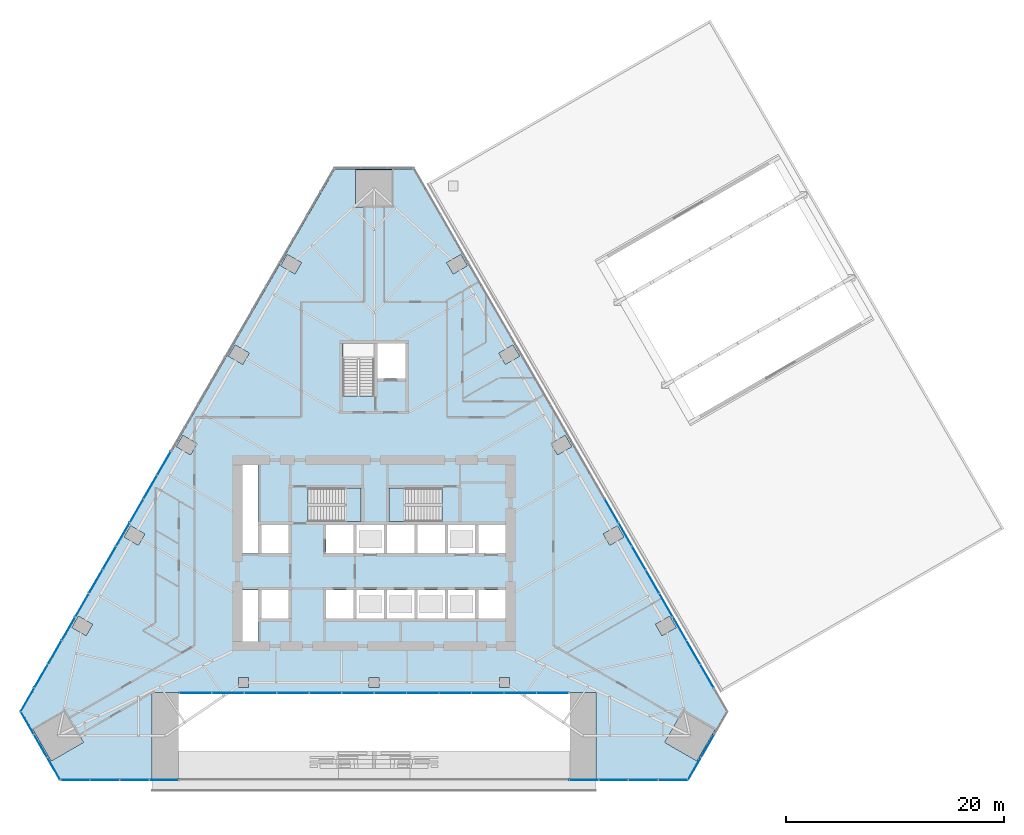
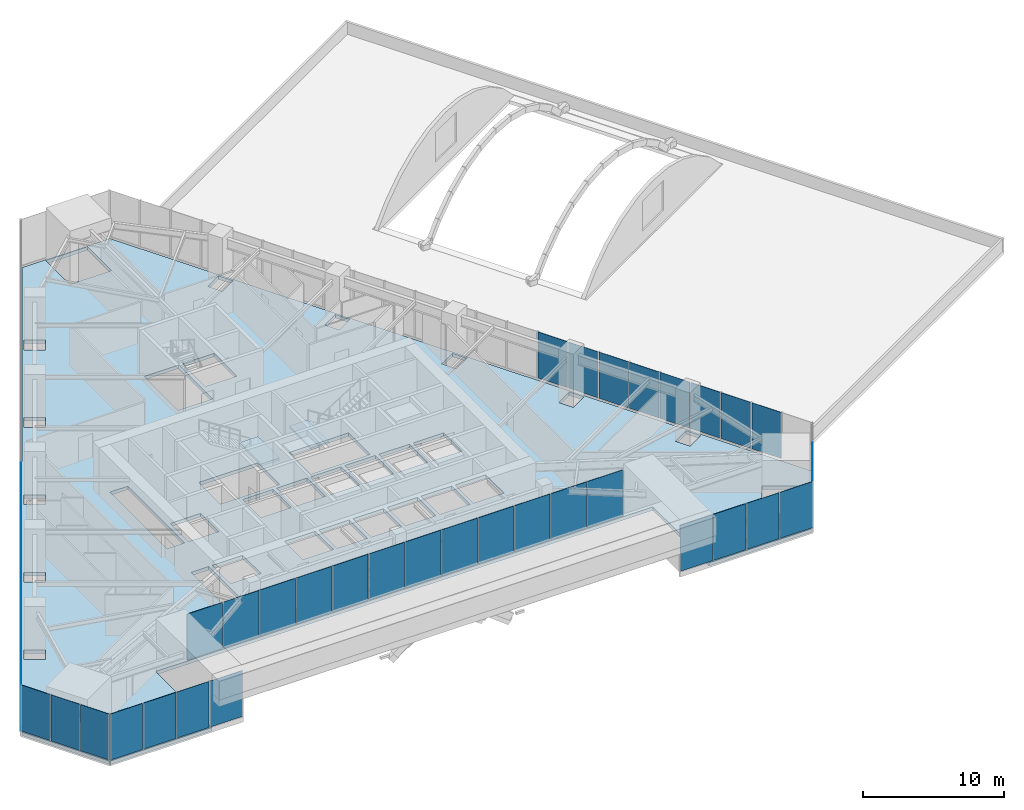
# One storey, part 16 of 23: 44 plates, 3 slabs, 9 elements without a shape of their own.
"""IFC4 building model written with IfcOpenShell, lengths in metres."""

import ifcopenshell
import ifcopenshell.guid

model = None  # the IFC model being written
_history = None  # IfcOwnerHistory: only IFC2X3 demands one
_inside = {}  # id of a spatial element -> (the spatial element, [elements in it])
_under = {}  # id of a project, library or spatial element -> (it, [spatial elements below it])
_declared = {}  # id of a project -> (the project, [libraries it declares])
_typed = {}  # id of a type object -> (the type object, [elements of that type])
_made_of = {}  # id of a material, layer set ... -> (it, [elements and type objects made of it])


def new_model(schema):
    """Start an empty IFC model of exactly this schema.

    Asked for "IFC4X3", IfcOpenShell would pick the latest addendum, in which some entities
    have other attributes; the version numbers below select the first issue.
    IFC2X3 requires an IfcOwnerHistory on every rooted entity: one is made here for all.
    """
    global model, _history
    if schema == "IFC4X3":
        model = ifcopenshell.file(schema_version=(4, 3, 0, 0))
    else:
        model = ifcopenshell.file(schema=schema)
    _inside.clear()
    _under.clear()
    _declared.clear()
    _typed.clear()
    _made_of.clear()
    _history = None
    if model.schema == "IFC2X3":
        org = make("IfcOrganization", Name="unknown")
        user = make(
            "IfcPersonAndOrganization",
            ThePerson=make("IfcPerson", FamilyName="unknown"),
            TheOrganization=org,
        )
        app = make(
            "IfcApplication",
            ApplicationDeveloper=org,
            Version="unknown",
            ApplicationFullName="unknown",
            ApplicationIdentifier="unknown",
        )
        _history = make(
            "IfcOwnerHistory",
            OwningUser=user,
            OwningApplication=app,
            ChangeAction="ADDED",
            CreationDate=0,
        )
    return model


def make(cls, **values):
    """One entity of the class cls with the attributes given. An attribute that is None is left unset."""
    return model.create_entity(
        cls, **{name: value for name, value in values.items() if value is not None}
    )


def rooted(cls, **values):
    """An entity with a GlobalId (a new one), such as an element, a storey or a relation."""
    return make(cls, GlobalId=ifcopenshell.guid.new(), OwnerHistory=_history, **values)


def si_unit(unit_type, name, prefix=None):
    """IfcSIUnit, for example si_unit("LENGTHUNIT", "METRE", prefix="MILLI")."""
    return make("IfcSIUnit", UnitType=unit_type, Prefix=prefix, Name=name)


def assignment(units):
    """IfcUnitAssignment: the units of a project."""
    return None if units is None else make("IfcUnitAssignment", Units=units)


def point(xyz):
    """IfcCartesianPoint."""
    return None if xyz is None else make("IfcCartesianPoint", Coordinates=xyz)


def direction(xyz):
    """IfcDirection."""
    return None if xyz is None else make("IfcDirection", DirectionRatios=xyz)


def frame(location, z_axis=None, x_axis=None):
    """IfcAxis2Placement3D, a coordinate frame: its origin and axes. An axis left out is left unset."""
    return make(
        "IfcAxis2Placement3D",
        Location=point(location),
        Axis=direction(z_axis),
        RefDirection=direction(x_axis),
    )


def origin():
    """The frame at (0, 0, 0) with its axes left unset."""
    return frame((0.0, 0.0, 0.0))


def place(relative_to, where):
    """IfcLocalPlacement: puts the frame where relative to a parent placement (None: the world)."""
    return make(
        "IfcLocalPlacement", PlacementRelTo=relative_to, RelativePlacement=where
    )


def context(
    kind, dimensions, precision=None, world=None, true_north=None, identifier=None
):
    """IfcGeometricRepresentationContext, for example the 3D "Model" context."""
    return make(
        "IfcGeometricRepresentationContext",
        ContextIdentifier=identifier,
        ContextType=kind,
        CoordinateSpaceDimension=dimensions,
        Precision=precision,
        WorldCoordinateSystem=world,
        TrueNorth=true_north,
    )


def subcontext(parent, identifier, kind, view, scale=None):
    """IfcGeometricRepresentationSubContext, for example "Body" below "Model"."""
    return make(
        "IfcGeometricRepresentationSubContext",
        ContextIdentifier=identifier,
        ContextType=kind,
        ParentContext=parent,
        TargetScale=scale,
        TargetView=view,
    )


def project(units=None, contexts=None):
    """IfcProject with its units and contexts."""
    return rooted(
        "IfcProject",
        Name="project",
        RepresentationContexts=contexts,
        UnitsInContext=assignment(units),
    )


def spatial(cls, under=None, at=None, **own):
    """A site, building, storey or space (cls), placed at a placement, below another one or the project."""
    s = rooted(cls, ObjectPlacement=at, **own)
    if under is not None:
        _under.setdefault(under.id(), (under, []))[1].append(s)
    return s


def polyline(points):
    """IfcPolyline through the points."""
    return make("IfcPolyline", Points=[point(p) for p in points])


def outline(outer, holes=None, kind="AREA"):
    """IfcArbitraryClosedProfileDef: a profile drawn as a closed curve; with holes, ...WithVoids."""
    if holes is None:
        return make("IfcArbitraryClosedProfileDef", ProfileType=kind, OuterCurve=outer)
    return make(
        "IfcArbitraryProfileDefWithVoids",
        ProfileType=kind,
        OuterCurve=outer,
        InnerCurves=holes,
    )


def extrude(swept, where, along, depth):
    """IfcExtrudedAreaSolid: the profile swept, set in the frame where, extruded along a direction by depth."""
    return make(
        "IfcExtrudedAreaSolid",
        SweptArea=swept,
        Position=where,
        ExtrudedDirection=direction(along),
        Depth=depth,
    )


def shape(context_of_items, identifier, shape_type, items):
    """IfcShapeRepresentation: the items that make up one representation, for example the "Body"."""
    return make(
        "IfcShapeRepresentation",
        ContextOfItems=context_of_items,
        RepresentationIdentifier=identifier,
        RepresentationType=shape_type,
        Items=items,
    )


def material(Name=None, Category=None):
    """IfcMaterial."""
    return make("IfcMaterial", Name=Name, Category=Category)


def layer(
    of_material, thickness, ventilated=None, Name=None, Category=None, Priority=None
):
    """IfcMaterialLayer: one layer of a wall or slab, of a material (None: an air gap)."""
    return make(
        "IfcMaterialLayer",
        Material=of_material,
        LayerThickness=thickness,
        IsVentilated=ventilated,
        Name=Name,
        Category=Category,
        Priority=Priority,
    )


def layer_set(layers, Name=None):
    """IfcMaterialLayerSet."""
    return make("IfcMaterialLayerSet", MaterialLayers=layers, LayerSetName=Name)


def made_of(thing, what):
    """Note that an element or type object is made of a material, layer set ...; save() writes the relation."""
    if what is not None:
        _made_of.setdefault(what.id(), (what, []))[1].append(thing)
    return thing


def type_object(cls, material=None, **own):
    """A type object (cls), such as IfcWallType, which elements share."""
    return made_of(rooted(cls, **own), material)


def element(
    cls,
    number,
    at=None,
    inside=None,
    cuts=None,
    type_object=None,
    material=None,
    context=None,
    identifier="Body",
    shape_type=None,
    held_by="IfcProductDefinitionShape",
    body=None,
    shapes=None,
    **own,
):
    """One element of the class cls, such as IfcWall. Its Tag is "e" and its number.

    at: its placement. inside: the storey or other place that contains it. cuts: it is an
    opening in that element (IfcRelVoidsElement). A single representation is given by context,
    identifier, shape_type and body (its items); several are given by shapes. held_by: the class
    of the entity that holds the representations. save() writes the other relations.
    """
    e = rooted(cls, Tag="e%d" % number, ObjectPlacement=at, **own)
    if body is not None:
        shapes = [shape(context, identifier, shape_type, body)]
    if shapes is not None:
        e.Representation = make(held_by, Representations=shapes)
    if inside is not None:
        _inside.setdefault(inside.id(), (inside, []))[1].append(e)
    if cuts is not None:
        rooted(
            "IfcRelVoidsElement", RelatingBuildingElement=cuts, RelatedOpeningElement=e
        )
    if type_object is not None:
        _typed.setdefault(type_object.id(), (type_object, []))[1].append(e)
    return made_of(e, material)


def aggregate(whole, parts):
    """IfcRelAggregates: a whole, such as a stair, and the parts it consists of."""
    return rooted("IfcRelAggregates", RelatingObject=whole, RelatedObjects=parts)


def save(model, path):
    """Write the relations noted so far, then the file.

    IfcRelAggregates (storeys below a building ...), IfcRelContainedInSpatialStructure (elements
    in a storey), IfcRelDefinesByType, IfcRelAssociatesMaterial and IfcRelDeclares: one each for
    every whole, place, type object, material and project.
    """
    for whole, parts in _under.values():
        aggregate(whole, parts)
    for where, things in _inside.values():
        rooted(
            "IfcRelContainedInSpatialStructure",
            RelatedElements=things,
            RelatingStructure=where,
        )
    for kind, things in _typed.values():
        rooted("IfcRelDefinesByType", RelatedObjects=things, RelatingType=kind)
    for what, things in _made_of.values():
        rooted("IfcRelAssociatesMaterial", RelatedObjects=things, RelatingMaterial=what)
    for by, libraries in _declared.values():
        rooted("IfcRelDeclares", RelatingContext=by, RelatedDefinitions=libraries)
    model.write(path)


model = new_model("IFC4")

# Units and contexts
model_context = context("Model", 3, precision=1e-05, world=origin(), true_north=direction((0.0, 1.0)))
body_context = subcontext(model_context, "Body", "Model", "MODEL_VIEW")
ifc_project = project(units=[si_unit("LENGTHUNIT", "METRE"), si_unit("AREAUNIT", "SQUARE_METRE"), si_unit("VOLUMEUNIT", "CUBIC_METRE"), si_unit("PLANEANGLEUNIT", "RADIAN"), si_unit("MASSUNIT", "GRAM", prefix="KILO")], contexts=[model_context])

# Site, building, storey
site_placement = place(None, origin())
site = spatial("IfcSite", under=ifc_project, at=site_placement, CompositionType="ELEMENT")
building_placement = place(site_placement, origin())
building = spatial("IfcBuilding", under=site, at=building_placement, Name="Firuza Gate Tower and Library", CompositionType="ELEMENT")
storey_placement = place(building_placement, frame((0.0, 0.0, 26.39990234375)))
storey = spatial("IfcBuildingStorey", under=building, at=storey_placement, Name="L05", CompositionType="ELEMENT", Elevation=26.39990234375)

# Curtain wall, plates
ifc_material_1 = material(Name="Aluminium 6063-T6", Category="aluminium")
ifc_layer_1 = layer(ifc_material_1, 0.14990234375)
ifc_layer_set_1 = layer_set([ifc_layer_1], Name="Stick curtain wall, podium")
curtain_wall_type_1 = type_object("IfcCurtainWallType", Name="Stick curtain wall, podium", PredefinedType="NOTDEFINED", material=ifc_layer_set_1)
placement_1 = place(storey_placement, origin())
curtain_wall_1 = element("IfcCurtainWall", 1, at=placement_1, inside=storey, type_object=curtain_wall_type_1, Name="CW5 L05 S", PredefinedType="NOTDEFINED")
ifc_material_2 = material(Name="Fritted glass", Category="glass")
ifc_layer_2 = layer(ifc_material_2, 0.030029296875)
ifc_layer_set_2 = layer_set([ifc_layer_2], Name="Clear glass unit, podium")
plate_type = type_object("IfcPlateType", Name="Clear glass unit, podium", PredefinedType="CURTAIN_PANEL", material=ifc_layer_set_2)
plate_1_placement = place(storey_placement, frame((46.19677734375, 54.12548828125, 0.150146484375), z_axis=(0.0, -1.0, 0.0), x_axis=(1.0, 0.0, 0.0)))
plate_1 = element("IfcPlate", 2, at=plate_1_placement, type_object=plate_type, Name="Glass unit", PredefinedType="CURTAIN_PANEL", context=body_context, shape_type="SweptSolid", body=[
    extrude(outline(polyline([(0.0, 0.0), (2.6494140625, 0.0), (2.6494140625, 4.0), (0.0, 4.0), (0.0, 0.0)])), origin(), (0.0, 0.0, -1.0), 0.030029296875),
])
plate_2_placement = place(storey_placement, frame((48.92626953125, 54.12548828125, 0.150146484375), z_axis=(0.0, -1.0, 0.0), x_axis=(1.0, 0.0, 0.0)))
plate_2 = element("IfcPlate", 3, at=plate_2_placement, type_object=plate_type, Name="Glass unit", PredefinedType="CURTAIN_PANEL", context=body_context, shape_type="SweptSolid", body=[
    extrude(outline(polyline([(0.0, 0.0), (2.649658203125, 0.0), (2.649658203125, 4.0), (0.0, 4.0), (0.0, 0.0)])), origin(), (0.0, 0.0, -1.0), 0.030029296875),
])
plate_3_placement = place(storey_placement, frame((51.65576171875, 54.12548828125, 0.150146484375), z_axis=(0.0, -1.0, 0.0), x_axis=(1.0, 0.0, 0.0)))
plate_3 = element("IfcPlate", 4, at=plate_3_placement, type_object=plate_type, Name="Glass unit", PredefinedType="CURTAIN_PANEL", context=body_context, shape_type="SweptSolid", body=[
    extrude(outline(polyline([(0.0, 0.0), (2.649658203125, 0.0), (2.649658203125, 4.0), (0.0, 4.0), (0.0, 0.0)])), origin(), (0.0, 0.0, -1.0), 0.030029296875),
])
plate_4_placement = place(storey_placement, frame((54.385498046875, 54.12548828125, 0.150146484375), z_axis=(0.0, -1.0, 0.0), x_axis=(1.0, 0.0, 0.0)))
plate_4 = element("IfcPlate", 5, at=plate_4_placement, type_object=plate_type, Name="Glass unit", PredefinedType="CURTAIN_PANEL", context=body_context, shape_type="SweptSolid", body=[
    extrude(outline(polyline([(0.0, 0.0), (2.6494140625, 0.0), (2.6494140625, 4.0), (0.0, 4.0), (0.0, 0.0)])), origin(), (0.0, 0.0, -1.0), 0.030029296875),
])
aggregate(curtain_wall_1, [plate_1, plate_2, plate_3, plate_4])

ifc_material_3 = material(Name="Aluminium 6063-T6", Category="aluminium")
ifc_layer_3 = layer(ifc_material_3, 0.14990234375)
ifc_layer_set_3 = layer_set([ifc_layer_3], Name="Stick curtain wall, gate lobby")
curtain_wall_type_2 = type_object("IfcCurtainWallType", Name="Stick curtain wall, gate lobby", PredefinedType="NOTDEFINED", material=ifc_layer_set_3)
curtain_wall_2 = element("IfcCurtainWall", 6, at=placement_1, inside=storey, type_object=curtain_wall_type_2, Name="CW7 L05 gate lobby", PredefinedType="NOTDEFINED")
plate_5_placement = place(storey_placement, frame((57.114990234375, 62.12548828125, 0.150146484375), z_axis=(0.0, -1.0, 0.0), x_axis=(1.0, 0.0, 0.0)))
plate_5 = element("IfcPlate", 7, at=plate_5_placement, type_object=plate_type, Name="Glass unit", PredefinedType="CURTAIN_PANEL", context=body_context, shape_type="SweptSolid", body=[
    extrude(outline(polyline([(0.0, 0.0), (2.907470703125, 0.0), (2.907470703125, 4.0), (0.0, 4.0), (0.0, 0.0)])), origin(), (0.0, 0.0, -1.0), 0.030029296875),
])
plate_6_placement = place(storey_placement, frame((60.1025390625, 62.12548828125, 0.150146484375), z_axis=(0.0, -1.0, 0.0), x_axis=(1.0, 0.0, 0.0)))
plate_6 = element("IfcPlate", 8, at=plate_6_placement, type_object=plate_type, Name="Glass unit", PredefinedType="CURTAIN_PANEL", context=body_context, shape_type="SweptSolid", body=[
    extrude(outline(polyline([(0.0, 0.0), (2.907470703125, 0.0), (2.907470703125, 4.0), (0.0, 4.0), (0.0, 0.0)])), origin(), (0.0, 0.0, -1.0), 0.030029296875),
])
plate_7_placement = place(storey_placement, frame((63.090087890625, 62.12548828125, 0.150146484375), z_axis=(0.0, -1.0, 0.0), x_axis=(1.0, 0.0, 0.0)))
plate_7 = element("IfcPlate", 9, at=plate_7_placement, type_object=plate_type, Name="Glass unit", PredefinedType="CURTAIN_PANEL", context=body_context, shape_type="SweptSolid", body=[
    extrude(outline(polyline([(0.0, 0.0), (2.907470703125, 0.0), (2.907470703125, 4.0), (0.0, 4.0), (0.0, 0.0)])), origin(), (0.0, 0.0, -1.0), 0.030029296875),
])
plate_8_placement = place(storey_placement, frame((66.077392578125, 62.12548828125, 0.150146484375), z_axis=(0.0, -1.0, 0.0), x_axis=(1.0, 0.0, 0.0)))
plate_8 = element("IfcPlate", 10, at=plate_8_placement, type_object=plate_type, Name="Glass unit", PredefinedType="CURTAIN_PANEL", context=body_context, shape_type="SweptSolid", body=[
    extrude(outline(polyline([(0.0, 0.0), (2.90771484375, 0.0), (2.90771484375, 4.0), (0.0, 4.0), (0.0, 0.0)])), origin(), (0.0, 0.0, -1.0), 0.030029296875),
])
plate_9_placement = place(storey_placement, frame((69.06494140625, 62.12548828125, 0.150146484375), z_axis=(0.0, -1.0, 0.0), x_axis=(1.0, 0.0, 0.0)))
plate_9 = element("IfcPlate", 11, at=plate_9_placement, type_object=plate_type, Name="Glass unit", PredefinedType="CURTAIN_PANEL", context=body_context, shape_type="SweptSolid", body=[
    extrude(outline(polyline([(0.0, 0.0), (2.907470703125, 0.0), (2.907470703125, 4.0), (0.0, 4.0), (0.0, 0.0)])), origin(), (0.0, 0.0, -1.0), 0.030029296875),
])
plate_10_placement = place(storey_placement, frame((72.052490234375, 62.12548828125, 0.150146484375), z_axis=(0.0, -1.0, 0.0), x_axis=(1.0, 0.0, 0.0)))
plate_10 = element("IfcPlate", 12, at=plate_10_placement, type_object=plate_type, Name="Glass unit", PredefinedType="CURTAIN_PANEL", context=body_context, shape_type="SweptSolid", body=[
    extrude(outline(polyline([(0.0, 0.0), (2.907470703125, 0.0), (2.907470703125, 4.0), (0.0, 4.0), (0.0, 0.0)])), origin(), (0.0, 0.0, -1.0), 0.030029296875),
])
plate_11_placement = place(storey_placement, frame((75.0400390625, 62.12548828125, 0.150146484375), z_axis=(0.0, -1.0, 0.0), x_axis=(1.0, 0.0, 0.0)))
plate_11 = element("IfcPlate", 13, at=plate_11_placement, type_object=plate_type, Name="Glass unit", PredefinedType="CURTAIN_PANEL", context=body_context, shape_type="SweptSolid", body=[
    extrude(outline(polyline([(0.0, 0.0), (2.907470703125, 0.0), (2.907470703125, 4.0), (0.0, 4.0), (0.0, 0.0)])), origin(), (0.0, 0.0, -1.0), 0.030029296875),
])
plate_12_placement = place(storey_placement, frame((78.027587890625, 62.12548828125, 0.150146484375), z_axis=(0.0, -1.0, 0.0), x_axis=(1.0, 0.0, 0.0)))
plate_12 = element("IfcPlate", 14, at=plate_12_placement, type_object=plate_type, Name="Glass unit", PredefinedType="CURTAIN_PANEL", context=body_context, shape_type="SweptSolid", body=[
    extrude(outline(polyline([(0.0, 0.0), (2.907470703125, 0.0), (2.907470703125, 4.0), (0.0, 4.0), (0.0, 0.0)])), origin(), (0.0, 0.0, -1.0), 0.030029296875),
])
plate_13_placement = place(storey_placement, frame((81.014892578125, 62.12548828125, 0.150146484375), z_axis=(0.0, -1.0, 0.0), x_axis=(1.0, 0.0, 0.0)))
plate_13 = element("IfcPlate", 15, at=plate_13_placement, type_object=plate_type, Name="Glass unit", PredefinedType="CURTAIN_PANEL", context=body_context, shape_type="SweptSolid", body=[
    extrude(outline(polyline([(0.0, 0.0), (2.90771484375, 0.0), (2.90771484375, 4.0), (0.0, 4.0), (0.0, 0.0)])), origin(), (0.0, 0.0, -1.0), 0.030029296875),
])
plate_14_placement = place(storey_placement, frame((84.00244140625, 62.12548828125, 0.150146484375), z_axis=(0.0, -1.0, 0.0), x_axis=(1.0, 0.0, 0.0)))
plate_14 = element("IfcPlate", 16, at=plate_14_placement, type_object=plate_type, Name="Glass unit", PredefinedType="CURTAIN_PANEL", context=body_context, shape_type="SweptSolid", body=[
    extrude(outline(polyline([(0.0, 0.0), (2.907470703125, 0.0), (2.907470703125, 4.0), (0.0, 4.0), (0.0, 0.0)])), origin(), (0.0, 0.0, -1.0), 0.030029296875),
])
plate_15_placement = place(storey_placement, frame((86.989990234375, 62.12548828125, 0.150146484375), z_axis=(0.0, -1.0, 0.0), x_axis=(1.0, 0.0, 0.0)))
plate_15 = element("IfcPlate", 17, at=plate_15_placement, type_object=plate_type, Name="Glass unit", PredefinedType="CURTAIN_PANEL", context=body_context, shape_type="SweptSolid", body=[
    extrude(outline(polyline([(0.0, 0.0), (2.907470703125, 0.0), (2.907470703125, 4.0), (0.0, 4.0), (0.0, 0.0)])), origin(), (0.0, 0.0, -1.0), 0.030029296875),
])
plate_16_placement = place(storey_placement, frame((89.9775390625, 62.12548828125, 0.150146484375), z_axis=(0.0, -1.0, 0.0), x_axis=(1.0, 0.0, 0.0)))
plate_16 = element("IfcPlate", 18, at=plate_16_placement, type_object=plate_type, Name="Glass unit", PredefinedType="CURTAIN_PANEL", context=body_context, shape_type="SweptSolid", body=[
    extrude(outline(polyline([(0.0, 0.0), (2.907470703125, 0.0), (2.907470703125, 4.0), (0.0, 4.0), (0.0, 0.0)])), origin(), (0.0, 0.0, -1.0), 0.030029296875),
])
aggregate(curtain_wall_2, [plate_5, plate_6, plate_7, plate_8, plate_9, plate_10, plate_11, plate_12, plate_13, plate_14, plate_15, plate_16])

curtain_wall_3 = element("IfcCurtainWall", 19, at=placement_1, inside=storey, type_object=curtain_wall_type_1, Name="CW5 L05 S", PredefinedType="NOTDEFINED")
plate_17_placement = place(storey_placement, frame((92.965087890625, 54.12548828125, 0.150146484375), z_axis=(0.0, -1.0, 0.0), x_axis=(1.0, 0.0, 0.0)))
plate_17 = element("IfcPlate", 20, at=plate_17_placement, type_object=plate_type, Name="Glass unit", PredefinedType="CURTAIN_PANEL", context=body_context, shape_type="SweptSolid", body=[
    extrude(outline(polyline([(0.0, 0.0), (2.6494140625, 0.0), (2.6494140625, 4.0), (0.0, 4.0), (0.0, 0.0)])), origin(), (0.0, 0.0, -1.0), 0.030029296875),
])
plate_18_placement = place(storey_placement, frame((95.694580078125, 54.12548828125, 0.150146484375), z_axis=(0.0, -1.0, 0.0), x_axis=(1.0, 0.0, 0.0)))
plate_18 = element("IfcPlate", 21, at=plate_18_placement, type_object=plate_type, Name="Glass unit", PredefinedType="CURTAIN_PANEL", context=body_context, shape_type="SweptSolid", body=[
    extrude(outline(polyline([(0.0, 0.0), (2.649658203125, 0.0), (2.649658203125, 4.0), (0.0, 4.0), (0.0, 0.0)])), origin(), (0.0, 0.0, -1.0), 0.030029296875),
])
plate_19_placement = place(storey_placement, frame((98.424072265625, 54.12548828125, 0.150146484375), z_axis=(0.0, -1.0, 0.0), x_axis=(1.0, 0.0, 0.0)))
plate_19 = element("IfcPlate", 22, at=plate_19_placement, type_object=plate_type, Name="Glass unit", PredefinedType="CURTAIN_PANEL", context=body_context, shape_type="SweptSolid", body=[
    extrude(outline(polyline([(0.0, 0.0), (2.649658203125, 0.0), (2.649658203125, 4.0), (0.0, 4.0), (0.0, 0.0)])), origin(), (0.0, 0.0, -1.0), 0.030029296875),
])
plate_20_placement = place(storey_placement, frame((101.15380859375, 54.12548828125, 0.150146484375), z_axis=(0.0, -1.0, 0.0), x_axis=(1.0, 0.0, 0.0)))
plate_20 = element("IfcPlate", 23, at=plate_20_placement, type_object=plate_type, Name="Glass unit", PredefinedType="CURTAIN_PANEL", context=body_context, shape_type="SweptSolid", body=[
    extrude(outline(polyline([(0.0, 0.0), (2.6494140625, 0.0), (2.6494140625, 4.0), (0.0, 4.0), (0.0, 0.0)])), origin(), (0.0, 0.0, -1.0), 0.030029296875),
])
aggregate(curtain_wall_3, [plate_17, plate_18, plate_19, plate_20])

curtain_wall_4 = element("IfcCurtainWall", 24, at=placement_1, inside=storey, type_object=curtain_wall_type_1, Name="CW5 L05 SE", PredefinedType="NOTDEFINED")
plate_21_placement = place(storey_placement, frame((103.876220703125, 54.16748046875, 0.150146484375), z_axis=(0.866002109674, -0.500040344412, 0.0), x_axis=(0.500040344412, 0.866002109674, 0.0)))
plate_21 = element("IfcPlate", 25, at=plate_21_placement, type_object=plate_type, Name="Glass unit", PredefinedType="CURTAIN_PANEL", context=body_context, shape_type="SweptSolid", body=[
    extrude(outline(polyline([(0.0, 0.0), (2.348931561223719, 0.0), (2.348931561223719, 4.0), (0.0, 4.0), (0.0, 0.0)])), origin(), (0.0, 0.0, -1.0), 0.030029296875),
])
plate_22_placement = place(storey_placement, frame((105.0908203125, 56.27099609375, 0.150146484375), z_axis=(0.866047116916, -0.499962389866, 0.0), x_axis=(0.499962389866, 0.866047116916, 0.0)))
plate_22 = element("IfcPlate", 26, at=plate_22_placement, type_object=plate_type, Name="Glass unit", PredefinedType="CURTAIN_PANEL", context=body_context, shape_type="SweptSolid", body=[
    extrude(outline(polyline([(0.0, 0.0), (2.3488094905771977, 0.0), (2.3488094905771977, 4.0), (0.0, 4.0), (0.0, 0.0)])), origin(), (0.0, 0.0, -1.0), 0.030029296875),
])
aggregate(curtain_wall_4, [plate_21, plate_22])

curtain_wall_5 = element("IfcCurtainWall", 27, at=placement_1, inside=storey, type_object=curtain_wall_type_1, Name="CW5 L05 E", PredefinedType="NOTDEFINED")
plate_23_placement = place(storey_placement, frame((106.2255859375, 62.6650390625, 0.150146484375), z_axis=(0.866013120021, 0.500021275498, 0.0), x_axis=(-0.500021275498, 0.866013120021, 0.0)))
plate_23 = element("IfcPlate", 28, at=plate_23_placement, type_object=plate_type, Name="Glass unit", PredefinedType="CURTAIN_PANEL", context=body_context, shape_type="SweptSolid", body=[
    extrude(outline(polyline([(0.0, 0.0), (2.428119337352694, 0.0), (2.428119337352694, 4.0), (0.0, 4.0), (0.0, 0.0)])), origin(), (0.0, 0.0, -1.0), 0.030029296875),
])
plate_24_placement = place(storey_placement, frame((104.971435546875, 64.837158203125, 0.150146484375), z_axis=(0.866013120021, 0.500021275498, 0.0), x_axis=(-0.500021275498, 0.866013120021, 0.0)))
plate_24 = element("IfcPlate", 29, at=plate_24_placement, type_object=plate_type, Name="Glass unit", PredefinedType="CURTAIN_PANEL", context=body_context, shape_type="SweptSolid", body=[
    extrude(outline(polyline([(0.0, 0.0), (2.428119337352694, 0.0), (2.428119337352694, 4.0), (0.0, 4.0), (0.0, 0.0)])), origin(), (0.0, 0.0, -1.0), 0.030029296875),
])
plate_25_placement = place(storey_placement, frame((103.717529296875, 67.00927734375, 0.150146484375), z_axis=(0.866013120021, 0.500021275498, 0.0), x_axis=(-0.500021275498, 0.866013120021, 0.0)))
plate_25 = element("IfcPlate", 30, at=plate_25_placement, type_object=plate_type, Name="Glass unit", PredefinedType="CURTAIN_PANEL", context=body_context, shape_type="SweptSolid", body=[
    extrude(outline(polyline([(0.0, 0.0), (2.428119337352694, 0.0), (2.428119337352694, 4.0), (0.0, 4.0), (0.0, 0.0)])), origin(), (0.0, 0.0, -1.0), 0.030029296875),
])
plate_26_placement = place(storey_placement, frame((102.46337890625, 69.18115234375, 0.150146484375), z_axis=(0.86603825568, 0.499977739203, 0.0), x_axis=(-0.499977739203, 0.86603825568, 0.0)))
plate_26 = element("IfcPlate", 31, at=plate_26_placement, type_object=plate_type, Name="Glass unit", PredefinedType="CURTAIN_PANEL", context=body_context, shape_type="SweptSolid", body=[
    extrude(outline(polyline([(0.0, 0.0), (2.428330769405526, 0.0), (2.428330769405526, 4.0), (0.0, 4.0), (0.0, 0.0)])), origin(), (0.0, 0.0, -1.0), 0.030029296875),
])
plate_27_placement = place(storey_placement, frame((101.209228515625, 71.353271484375, 0.150146484375), z_axis=(0.866056658381, 0.499945861543, 0.0), x_axis=(-0.499945861543, 0.866056658381, 0.0)))
plate_27 = element("IfcPlate", 32, at=plate_27_placement, type_object=plate_type, Name="Glass unit", PredefinedType="CURTAIN_PANEL", context=body_context, shape_type="SweptSolid", body=[
    extrude(outline(polyline([(0.0, 0.0), (2.4279972710515545, 0.0), (2.4279972710515545, 4.0), (0.0, 4.0), (0.0, 0.0)])), origin(), (0.0, 0.0, -1.0), 0.030029296875),
])
plate_28_placement = place(storey_placement, frame((99.955322265625, 73.525390625, 0.150146484375), z_axis=(0.866013120021, 0.500021275498, 0.0), x_axis=(-0.500021275498, 0.866013120021, 0.0)))
plate_28 = element("IfcPlate", 33, at=plate_28_placement, type_object=plate_type, Name="Glass unit", PredefinedType="CURTAIN_PANEL", context=body_context, shape_type="SweptSolid", body=[
    extrude(outline(polyline([(0.0, 0.0), (2.428119337352694, 0.0), (2.428119337352694, 4.0), (0.0, 4.0), (0.0, 0.0)])), origin(), (0.0, 0.0, -1.0), 0.030029296875),
])
plate_29_placement = place(storey_placement, frame((98.701171875, 75.697509765625, 0.150146484375), z_axis=(0.866013120021, 0.500021275498, 0.0), x_axis=(-0.500021275498, 0.866013120021, 0.0)))
plate_29 = element("IfcPlate", 34, at=plate_29_placement, type_object=plate_type, Name="Glass unit", PredefinedType="CURTAIN_PANEL", context=body_context, shape_type="SweptSolid", body=[
    extrude(outline(polyline([(0.0, 0.0), (2.428119337352694, 0.0), (2.428119337352694, 4.0), (0.0, 4.0), (0.0, 0.0)])), origin(), (0.0, 0.0, -1.0), 0.030029296875),
])
plate_30_placement = place(storey_placement, frame((97.447021484375, 77.86962890625, 0.150146484375), z_axis=(0.866056658381, 0.499945861543, 0.0), x_axis=(-0.499945861543, 0.866056658381, 0.0)))
plate_30 = element("IfcPlate", 35, at=plate_30_placement, type_object=plate_type, Name="Glass unit", PredefinedType="CURTAIN_PANEL", context=body_context, shape_type="SweptSolid", body=[
    extrude(outline(polyline([(0.0, 0.0), (2.4279972710515545, 0.0), (2.4279972710515545, 4.0), (0.0, 4.0), (0.0, 0.0)])), origin(), (0.0, 0.0, -1.0), 0.030029296875),
])
aggregate(curtain_wall_5, [plate_23, plate_24, plate_25, plate_26, plate_27, plate_28, plate_29, plate_30])

curtain_wall_6 = element("IfcCurtainWall", 36, at=placement_1, inside=storey, type_object=curtain_wall_type_1, Name="CW5 L05 W", PredefinedType="NOTDEFINED")
plate_31_placement = place(storey_placement, frame((56.275146484375, 84.316650390625, 0.150146484375), z_axis=(-0.866013120021, 0.500021275498, 0.0), x_axis=(-0.500021275498, -0.866013120021, 0.0)))
plate_31 = element("IfcPlate", 37, at=plate_31_placement, type_object=plate_type, Name="Glass unit", PredefinedType="CURTAIN_PANEL", context=body_context, shape_type="SweptSolid", body=[
    extrude(outline(polyline([(0.0, 0.0), (2.428119337352694, 0.0), (2.428119337352694, 4.0), (0.0, 4.0), (0.0, 0.0)])), origin(), (0.0, 0.0, -1.0), 0.030029296875),
])
plate_32_placement = place(storey_placement, frame((55.02099609375, 82.14453125, 0.150146484375), z_axis=(-0.866013120021, 0.500021275498, 0.0), x_axis=(-0.500021275498, -0.866013120021, 0.0)))
plate_32 = element("IfcPlate", 38, at=plate_32_placement, type_object=plate_type, Name="Glass unit", PredefinedType="CURTAIN_PANEL", context=body_context, shape_type="SweptSolid", body=[
    extrude(outline(polyline([(0.0, 0.0), (2.428119337352694, 0.0), (2.428119337352694, 4.0), (0.0, 4.0), (0.0, 0.0)])), origin(), (0.0, 0.0, -1.0), 0.030029296875),
])
plate_33_placement = place(storey_placement, frame((53.766845703125, 79.972412109375, 0.150146484375), z_axis=(-0.866056658381, 0.499945861543, 0.0), x_axis=(-0.499945861543, -0.866056658381, 0.0)))
plate_33 = element("IfcPlate", 39, at=plate_33_placement, type_object=plate_type, Name="Glass unit", PredefinedType="CURTAIN_PANEL", context=body_context, shape_type="SweptSolid", body=[
    extrude(outline(polyline([(0.0, 0.0), (2.4279972710515545, 0.0), (2.4279972710515545, 4.0), (0.0, 4.0), (0.0, 0.0)])), origin(), (0.0, 0.0, -1.0), 0.030029296875),
])
plate_34_placement = place(storey_placement, frame((52.512939453125, 77.80029296875, 0.150146484375), z_axis=(-0.866013120021, 0.500021275498, 0.0), x_axis=(-0.500021275498, -0.866013120021, 0.0)))
plate_34 = element("IfcPlate", 40, at=plate_34_placement, type_object=plate_type, Name="Glass unit", PredefinedType="CURTAIN_PANEL", context=body_context, shape_type="SweptSolid", body=[
    extrude(outline(polyline([(0.0, 0.0), (2.428119337352694, 0.0), (2.428119337352694, 4.0), (0.0, 4.0), (0.0, 0.0)])), origin(), (0.0, 0.0, -1.0), 0.030029296875),
])
plate_35_placement = place(storey_placement, frame((51.2587890625, 75.628173828125, 0.150146484375), z_axis=(-0.866013120021, 0.500021275498, 0.0), x_axis=(-0.500021275498, -0.866013120021, 0.0)))
plate_35 = element("IfcPlate", 41, at=plate_35_placement, type_object=plate_type, Name="Glass unit", PredefinedType="CURTAIN_PANEL", context=body_context, shape_type="SweptSolid", body=[
    extrude(outline(polyline([(0.0, 0.0), (2.428119337352694, 0.0), (2.428119337352694, 4.0), (0.0, 4.0), (0.0, 0.0)])), origin(), (0.0, 0.0, -1.0), 0.030029296875),
])
plate_36_placement = place(storey_placement, frame((50.004638671875, 73.4560546875, 0.150146484375), z_axis=(-0.866056658381, 0.499945861543, 0.0), x_axis=(-0.499945861543, -0.866056658381, 0.0)))
plate_36 = element("IfcPlate", 42, at=plate_36_placement, type_object=plate_type, Name="Glass unit", PredefinedType="CURTAIN_PANEL", context=body_context, shape_type="SweptSolid", body=[
    extrude(outline(polyline([(0.0, 0.0), (2.4279972710515545, 0.0), (2.4279972710515545, 4.0), (0.0, 4.0), (0.0, 0.0)])), origin(), (0.0, 0.0, -1.0), 0.030029296875),
])
plate_37_placement = place(storey_placement, frame((48.750732421875, 71.2841796875, 0.150146484375), z_axis=(-0.86603825568, 0.499977739203, 0.0), x_axis=(-0.499977739203, -0.86603825568, 0.0)))
plate_37 = element("IfcPlate", 43, at=plate_37_placement, type_object=plate_type, Name="Glass unit", PredefinedType="CURTAIN_PANEL", context=body_context, shape_type="SweptSolid", body=[
    extrude(outline(polyline([(0.0, 0.0), (2.428330769405526, 0.0), (2.428330769405526, 4.0), (0.0, 4.0), (0.0, 0.0)])), origin(), (0.0, 0.0, -1.0), 0.030029296875),
])
plate_38_placement = place(storey_placement, frame((47.49658203125, 69.112060546875, 0.150146484375), z_axis=(-0.866013120021, 0.500021275498, 0.0), x_axis=(-0.500021275498, -0.866013120021, 0.0)))
plate_38 = element("IfcPlate", 44, at=plate_38_placement, type_object=plate_type, Name="Glass unit", PredefinedType="CURTAIN_PANEL", context=body_context, shape_type="SweptSolid", body=[
    extrude(outline(polyline([(0.0, 0.0), (2.428119337352694, 0.0), (2.428119337352694, 4.0), (0.0, 4.0), (0.0, 0.0)])), origin(), (0.0, 0.0, -1.0), 0.030029296875),
])
plate_39_placement = place(storey_placement, frame((46.24267578125, 66.93994140625, 0.150146484375), z_axis=(-0.866013120021, 0.500021275498, 0.0), x_axis=(-0.500021275498, -0.866013120021, 0.0)))
plate_39 = element("IfcPlate", 45, at=plate_39_placement, type_object=plate_type, Name="Glass unit", PredefinedType="CURTAIN_PANEL", context=body_context, shape_type="SweptSolid", body=[
    extrude(outline(polyline([(0.0, 0.0), (2.428119337352694, 0.0), (2.428119337352694, 4.0), (0.0, 4.0), (0.0, 0.0)])), origin(), (0.0, 0.0, -1.0), 0.030029296875),
])
plate_40_placement = place(storey_placement, frame((44.988525390625, 64.767822265625, 0.150146484375), z_axis=(-0.866013120021, 0.500021275498, 0.0), x_axis=(-0.500021275498, -0.866013120021, 0.0)))
plate_40 = element("IfcPlate", 46, at=plate_40_placement, type_object=plate_type, Name="Glass unit", PredefinedType="CURTAIN_PANEL", context=body_context, shape_type="SweptSolid", body=[
    extrude(outline(polyline([(0.0, 0.0), (2.428119337352694, 0.0), (2.428119337352694, 4.0), (0.0, 4.0), (0.0, 0.0)])), origin(), (0.0, 0.0, -1.0), 0.030029296875),
])
plate_41_placement = place(storey_placement, frame((43.734375, 62.595703125, 0.150146484375), z_axis=(-0.866056658381, 0.499945861543, 0.0), x_axis=(-0.499945861543, -0.866056658381, 0.0)))
plate_41 = element("IfcPlate", 47, at=plate_41_placement, type_object=plate_type, Name="Glass unit", PredefinedType="CURTAIN_PANEL", context=body_context, shape_type="SweptSolid", body=[
    extrude(outline(polyline([(0.0, 0.0), (2.4279972710515545, 0.0), (2.4279972710515545, 4.0), (0.0, 4.0), (0.0, 0.0)])), origin(), (0.0, 0.0, -1.0), 0.030029296875),
])
aggregate(curtain_wall_6, [plate_31, plate_32, plate_33, plate_34, plate_35, plate_36, plate_37, plate_38, plate_39, plate_40, plate_41])

curtain_wall_7 = element("IfcCurtainWall", 48, at=placement_1, inside=storey, type_object=curtain_wall_type_1, Name="CW5 L05 SW", PredefinedType="NOTDEFINED")
plate_42_placement = place(storey_placement, frame((42.5205078125, 60.40869140625, 0.150146484375), z_axis=(-0.866047116916, -0.499962389866, 0.0), x_axis=(0.499962389866, -0.866047116916, 0.0)))
plate_42 = element("IfcPlate", 49, at=plate_42_placement, type_object=plate_type, Name="Glass unit", PredefinedType="CURTAIN_PANEL", context=body_context, shape_type="SweptSolid", body=[
    extrude(outline(polyline([(0.0, 0.0), (2.3488094905771977, 0.0), (2.3488094905771977, 4.0), (0.0, 4.0), (0.0, 0.0)])), origin(), (0.0, 0.0, -1.0), 0.030029296875),
])
plate_43_placement = place(storey_placement, frame((43.73486328125, 58.30517578125, 0.150146484375), z_axis=(-0.866047116916, -0.499962389866, 0.0), x_axis=(0.499962389866, -0.866047116916, 0.0)))
plate_43 = element("IfcPlate", 50, at=plate_43_placement, type_object=plate_type, Name="Glass unit", PredefinedType="CURTAIN_PANEL", context=body_context, shape_type="SweptSolid", body=[
    extrude(outline(polyline([(0.0, 0.0), (2.3488094905771977, 0.0), (2.3488094905771977, 4.0), (0.0, 4.0), (0.0, 0.0)])), origin(), (0.0, 0.0, -1.0), 0.030029296875),
])
plate_44_placement = place(storey_placement, frame((44.94921875, 56.20166015625, 0.150146484375), z_axis=(-0.866002109674, -0.500040344412, 0.0), x_axis=(0.500040344412, -0.866002109674, 0.0)))
plate_44 = element("IfcPlate", 51, at=plate_44_placement, type_object=plate_type, Name="Glass unit", PredefinedType="CURTAIN_PANEL", context=body_context, shape_type="SweptSolid", body=[
    extrude(outline(polyline([(0.0, 0.0), (2.348931561223719, 0.0), (2.348931561223719, 4.0), (0.0, 4.0), (0.0, 0.0)])), origin(), (0.0, 0.0, -1.0), 0.030029296875),
])
aggregate(curtain_wall_7, [plate_42, plate_43, plate_44])

# Slab
ifc_material_4 = material(Name="Concrete C40/50", Category="concrete")
ifc_layer_4 = layer(ifc_material_4, 0.300048828125)
ifc_layer_set_4 = layer_set([ifc_layer_4], Name="Composite floor slab 300 C40/50")
slab_type_1 = type_object("IfcSlabType", Name="Composite floor slab 300 C40/50", PredefinedType="FLOOR", material=ifc_layer_set_4)
slab_1_placement = place(storey_placement, frame((0.0, 0.0, -0.2998046875)))
element("IfcSlab", 52, at=slab_1_placement, inside=storey, type_object=slab_type_1, Name="Floor slab L05", PredefinedType="FLOOR", context=body_context, shape_type="SweptSolid", body=[
    extrude(outline(polyline([(46.199951171875, 54.21533203125), (54.60009765625, 54.21533203125), (54.60009765625, 62.21533203125), (57.0, 62.21533203125), (93.0, 62.21533203125), (95.39990234375, 62.21533203125), (95.39990234375, 54.21533203125), (103.800048828125, 54.21533203125), (107.39990234375, 60.45068359375), (78.60009765625, 110.333740234375), (71.39990234375, 110.333740234375), (42.60009765625, 60.45068359375), (46.199951171875, 54.21533203125)]), holes=[polyline([(43.63671875, 58.855224609375), (46.5810546875, 60.555419921875), (48.281005859375, 57.61083984375), (45.336669921875, 55.910888671875), (43.63671875, 58.855224609375)]), polyline([(74.550048828125, 62.665283203125), (74.550048828125, 63.5654296875), (75.449951171875, 63.5654296875), (75.449951171875, 62.665283203125), (74.550048828125, 62.665283203125)]), polyline([(62.550048828125, 62.665283203125), (62.550048828125, 63.5654296875), (63.449951171875, 63.5654296875), (63.449951171875, 62.665283203125), (62.550048828125, 62.665283203125)]), polyline([(47.829833984375, 69.209228515625), (49.12890625, 68.459228515625), (48.529052734375, 67.419921875), (47.22998046875, 68.169921875), (47.829833984375, 69.209228515625)]), polyline([(64.35009765625, 66.89990234375), (62.89990234375, 66.89990234375), (62.89990234375, 71.60009765625), (64.35009765625, 71.60009765625), (64.35009765625, 66.89990234375)]), polyline([(67.14990234375, 69.0), (64.64990234375, 69.0), (64.64990234375, 71.60009765625), (67.14990234375, 71.60009765625), (67.14990234375, 69.0)]), polyline([(70.60009765625, 69.0), (70.60009765625, 71.60009765625), (73.10009765625, 71.60009765625), (73.10009765625, 69.0), (70.60009765625, 69.0)]), polyline([(73.39990234375, 69.0), (73.39990234375, 71.60009765625), (75.89990234375, 71.60009765625), (75.89990234375, 69.0), (73.39990234375, 69.0)]), polyline([(67.14990234375, 75.0), (64.64990234375, 75.0), (64.64990234375, 77.60009765625), (67.14990234375, 77.60009765625), (67.14990234375, 75.0)]), polyline([(73.10009765625, 75.0), (70.60009765625, 75.0), (70.60009765625, 77.60009765625), (73.10009765625, 77.60009765625), (73.10009765625, 75.0)]), polyline([(75.89990234375, 75.0), (73.39990234375, 75.0), (73.39990234375, 77.60009765625), (75.89990234375, 77.60009765625), (75.89990234375, 75.0)]), polyline([(53.928955078125, 76.773193359375), (53.328857421875, 75.73388671875), (52.02978515625, 76.48388671875), (52.6298828125, 77.523193359375), (53.928955078125, 76.773193359375)]), polyline([(62.89990234375, 75.0), (62.89990234375, 83.10009765625), (64.35009765625, 83.10009765625), (64.35009765625, 75.0), (62.89990234375, 75.0)]), polyline([(73.81005859375, 77.89990234375), (68.9404296875, 77.89990234375), (68.9404296875, 80.97998046875), (73.81005859375, 80.97998046875), (73.81005859375, 77.89990234375)]), polyline([(57.429931640625, 85.8369140625), (58.72900390625, 85.0869140625), (58.12890625, 84.047607421875), (56.829833984375, 84.797607421875), (57.429931640625, 85.8369140625)]), polyline([(72.159912109375, 89.470458984375), (72.159912109375, 94.300048828125), (75.0, 94.300048828125), (75.0, 89.470458984375), (72.159912109375, 89.470458984375)]), polyline([(63.529052734375, 93.40087890625), (62.928955078125, 92.361572265625), (61.6298828125, 93.111572265625), (62.22998046875, 94.15087890625), (63.529052734375, 93.40087890625)]), polyline([(68.328857421875, 101.714599609375), (67.72900390625, 100.67529296875), (66.429931640625, 101.42529296875), (67.02978515625, 102.464599609375), (68.328857421875, 101.714599609375)]), polyline([(104.663330078125, 55.910888671875), (101.718994140625, 57.61083984375), (103.4189453125, 60.555419921875), (106.36328125, 58.855224609375), (104.663330078125, 55.910888671875)]), polyline([(86.550048828125, 62.665283203125), (86.550048828125, 63.5654296875), (87.449951171875, 63.5654296875), (87.449951171875, 62.665283203125), (86.550048828125, 62.665283203125)]), polyline([(102.77001953125, 68.169921875), (101.470947265625, 67.419921875), (100.87109375, 68.459228515625), (102.170166015625, 69.209228515625), (102.77001953125, 68.169921875)]), polyline([(84.300048828125, 69.0), (81.800048828125, 69.0), (81.800048828125, 71.60009765625), (84.300048828125, 71.60009765625), (84.300048828125, 69.0)]), polyline([(87.10009765625, 69.0), (84.60009765625, 69.0), (84.60009765625, 71.60009765625), (87.10009765625, 71.60009765625), (87.10009765625, 69.0)]), polyline([(81.5, 69.0), (79.0, 69.0), (79.0, 71.60009765625), (81.5, 71.60009765625), (81.5, 69.0)]), polyline([(76.199951171875, 69.0), (76.199951171875, 71.60009765625), (78.699951171875, 71.60009765625), (78.699951171875, 69.0), (76.199951171875, 69.0)]), polyline([(81.800048828125, 75.0), (81.800048828125, 77.60009765625), (84.300048828125, 77.60009765625), (84.300048828125, 75.0), (81.800048828125, 75.0)]), polyline([(81.5, 75.0), (79.0, 75.0), (79.0, 77.60009765625), (81.5, 77.60009765625), (81.5, 75.0)]), polyline([(87.10009765625, 75.0), (84.60009765625, 75.0), (84.60009765625, 77.60009765625), (87.10009765625, 77.60009765625), (87.10009765625, 75.0)]), polyline([(78.699951171875, 75.0), (76.199951171875, 75.0), (76.199951171875, 77.60009765625), (78.699951171875, 77.60009765625), (78.699951171875, 75.0)]), polyline([(96.671142578125, 75.73388671875), (96.071044921875, 76.773193359375), (97.3701171875, 77.523193359375), (97.97021484375, 76.48388671875), (96.671142578125, 75.73388671875)]), polyline([(76.389892578125, 77.89990234375), (76.389892578125, 80.97998046875), (81.259521484375, 80.97998046875), (81.259521484375, 77.89990234375), (76.389892578125, 77.89990234375)]), polyline([(93.170166015625, 84.797607421875), (91.87109375, 84.047607421875), (91.27099609375, 85.0869140625), (92.570068359375, 85.8369140625), (93.170166015625, 84.797607421875)]), polyline([(77.89990234375, 91.050048828125), (75.300048828125, 91.050048828125), (75.300048828125, 94.300048828125), (77.89990234375, 94.300048828125), (77.89990234375, 91.050048828125)]), polyline([(88.3701171875, 93.111572265625), (87.071044921875, 92.361572265625), (86.470947265625, 93.40087890625), (87.77001953125, 94.15087890625), (88.3701171875, 93.111572265625)]), polyline([(82.27099609375, 100.67529296875), (81.671142578125, 101.714599609375), (82.97021484375, 102.464599609375), (83.570068359375, 101.42529296875), (82.27099609375, 100.67529296875)]), polyline([(76.699951171875, 106.833740234375), (73.300048828125, 106.833740234375), (73.300048828125, 110.23388671875), (76.699951171875, 110.23388671875), (76.699951171875, 106.833740234375)])]), origin(), (0.0, 0.0, 1.0), 0.2998046875),
])

# Stair, slab
ifc_material_5 = material(Name="Concrete C35/45", Category="concrete")
stair_type = type_object("IfcStairType", Name="Exit stair ST4", PredefinedType="HALF_TURN_STAIR", material=ifc_material_5)
stair_1 = element("IfcStair", 53, at=placement_1, inside=storey, type_object=stair_type, Name="L05 Stair ST1", PredefinedType="HALF_TURN_STAIR")
ifc_material_6 = material(Name="Concrete C35/45", Category="concrete")
ifc_layer_5 = layer(ifc_material_6, 0.199951171875)
ifc_layer_set_5 = layer_set([ifc_layer_5], Name="Stair landing 200")
slab_type_2 = type_object("IfcSlabType", Name="Stair landing 200", PredefinedType="LANDING", material=ifc_layer_set_5)
placement_2 = place(storey_placement, frame((0.0, 0.0, 2.10009765625)))
slab_2 = element("IfcSlab", 54, at=placement_2, type_object=slab_type_2, Name="ST1 landing 1", PredefinedType="LANDING", context=body_context, shape_type="SweptSolid", body=[
    extrude(outline(polyline([(72.300048828125, 77.89990234375), (73.81005859375, 77.89990234375), (73.81005859375, 80.97998046875), (72.300048828125, 80.97998046875), (72.300048828125, 77.89990234375)])), origin(), (0.0, 0.0, 1.0), 0.199951171875),
])
aggregate(stair_1, [slab_2])

stair_2 = element("IfcStair", 55, at=placement_1, inside=storey, type_object=stair_type, Name="L05 Stair ST2", PredefinedType="HALF_TURN_STAIR")
slab_3 = element("IfcSlab", 56, at=placement_2, type_object=slab_type_2, Name="ST2 landing 1", PredefinedType="LANDING", context=body_context, shape_type="SweptSolid", body=[
    extrude(outline(polyline([(77.89990234375, 80.97998046875), (76.389892578125, 80.97998046875), (76.389892578125, 77.89990234375), (77.89990234375, 77.89990234375), (77.89990234375, 80.97998046875)])), origin(), (0.0, 0.0, 1.0), 0.199951171875),
])
aggregate(stair_2, [slab_3])

save(model, "model.ifc")
